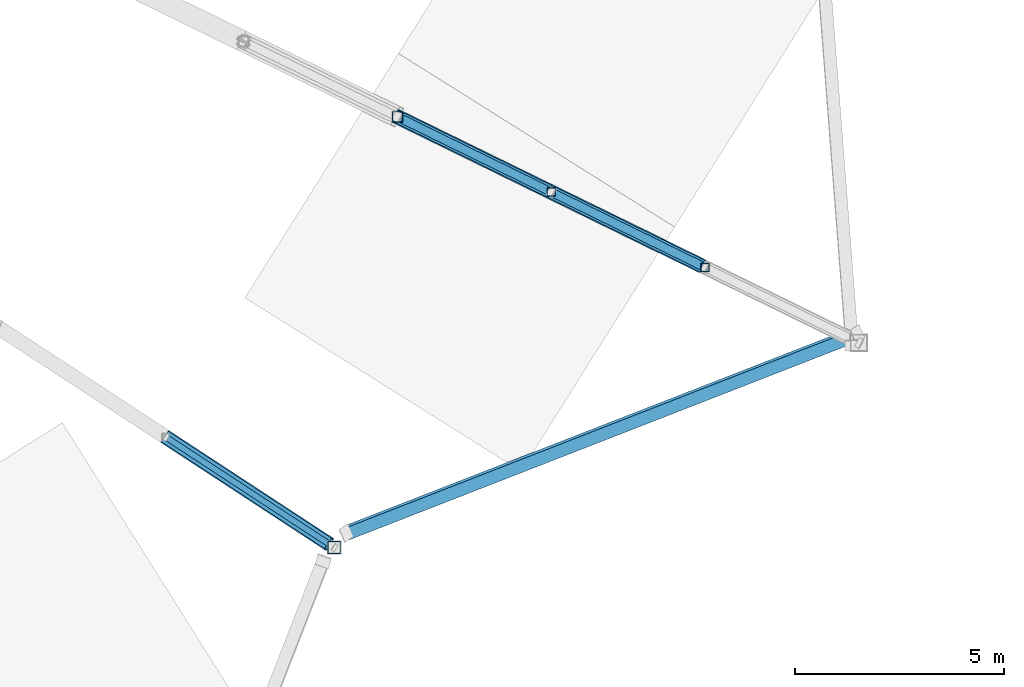
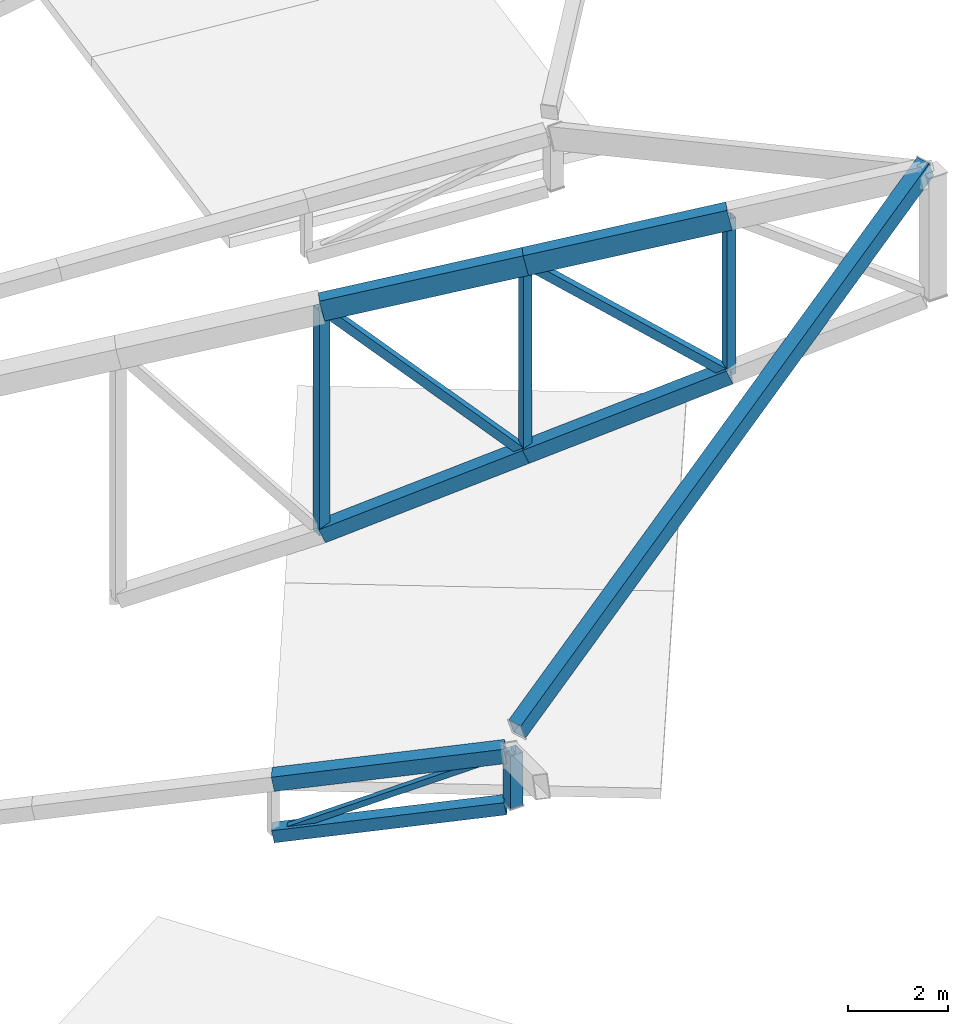
# One storey, part 46 of 188: 13 members, 1 beam.
"""IFC4 building model written with IfcOpenShell, lengths in metres."""

from ifc_helpers import new_model, si_unit, direction, frame, origin, origin_2d, place, context, subcontext, project, spatial, hollow_rectangle, extrude, material, material_profile, profile_set, type_object, element, save


model = new_model("IFC4")

# Units and contexts
model_context = context("Model", 3, precision=1e-05, world=origin(), true_north=direction((0.0, 1.0)))
body_context = subcontext(model_context, "Body", "Model", "MODEL_VIEW")
ifc_project = project(units=[si_unit("LENGTHUNIT", "METRE"), si_unit("AREAUNIT", "SQUARE_METRE"), si_unit("VOLUMEUNIT", "CUBIC_METRE"), si_unit("PLANEANGLEUNIT", "RADIAN"), si_unit("MASSUNIT", "GRAM", prefix="KILO")], contexts=[model_context])

# Site, building, storey
site_placement = place(None, origin())
site = spatial("IfcSite", under=ifc_project, at=site_placement, CompositionType="ELEMENT")
building_placement = place(site_placement, origin())
building = spatial("IfcBuilding", under=site, at=building_placement, Name="Meseta Stadium", CompositionType="ELEMENT")
storey_placement = place(building_placement, frame((0.0, 0.0, 30.0)))
storey = spatial("IfcBuildingStorey", under=building, at=storey_placement, Name="ROOF", CompositionType="ELEMENT", Elevation=30.0)

# Beam
ifc_material_1 = material(Name="Steel S355", Category="steel")
ifc_material_profile_1 = material_profile(ifc_material_1, hollow_rectangle(XDim=0.300048828125, YDim=0.5, WallThickness=0.01611328125, at=origin_2d()), Name="RHS 500x300x16")
ifc_profile_set_1 = profile_set([ifc_material_profile_1], Name="Steel S355")
beam_type = type_object("IfcBeamType", Name="RHS 500x300x16 rim ring beam", PredefinedType="BEAM", material=ifc_profile_set_1)
beam_placement = place(storey_placement, frame((80.65966796875, -84.02197265625, 3.80908203125), z_axis=(0.831613431393, 0.324275993686, 0.450848290056), x_axis=(-0.409810375587, 0.906208930732, 0.1041193062)))
element("IfcBeam", 1, at=beam_placement, inside=storey, type_object=beam_type, Name="RIM RING BEAM 54", PredefinedType="BEAM", context=body_context, shape_type="SweptSolid", body=[
    extrude(hollow_rectangle(XDim=0.300048828125, YDim=0.5, WallThickness=0.01611328125, at=origin_2d()), origin(), (0.0, 0.0, 1.0), 14.6728515625),
])

# Members
ifc_material_2 = material(Name="Steel S355", Category="steel")
ifc_material_profile_2 = material_profile(ifc_material_2, hollow_rectangle(XDim=0.300048828125, YDim=0.5, WallThickness=0.01611328125, at=origin_2d()), Name="RHS 500x300x16")
ifc_profile_set_2 = profile_set([ifc_material_profile_2], Name="Steel S355")
member_type_1 = type_object("IfcMemberType", Name="RHS 500x300x16 top chord", PredefinedType="CHORD", material=ifc_profile_set_2)
for number, where, z_axis, x_axis, name in (
    (2, (81.87548828125, -74.072509765625, 7.682373046875), (0.876466757561, -0.42915685102, 0.218243946336), (0.439757537934, 0.898116533547, 0.0), "ROOF TRUSS RT-54 top chord"),
    (3, (85.55322265625, -75.873291015625, 8.59814453125), (0.876488641902, -0.429109382237, 0.21824939563), (0.439709445712, 0.898140080028, 0.0), "ROOF TRUSS RT-54 top chord"),
):
    element("IfcMember", number, at=place(storey_placement, frame(where, z_axis=z_axis, x_axis=x_axis)), inside=storey, type_object=member_type_1, Name=name, PredefinedType="CHORD", context=body_context, shape_type="SweptSolid", body=[
        extrude(hollow_rectangle(XDim=0.300048828125, YDim=0.5, WallThickness=0.01611328125, at=origin_2d()), origin(), (0.0, 0.0, 1.0), 4.196044921875),
    ])
ifc_material_3 = material(Name="Steel S355", Category="steel")
ifc_material_profile_3 = material_profile(ifc_material_3, hollow_rectangle(XDim=0.139892578125, YDim=0.139892578125, WallThickness=0.0048828125, at=origin_2d()), Name="SHS 140x140x5")
ifc_profile_set_3 = profile_set([ifc_material_profile_3], Name="Steel S355")
member_type_2 = type_object("IfcMemberType", Name="SHS 140x140x5 diagonal", PredefinedType="BRACE", material=ifc_profile_set_3)
member_1_placement = place(storey_placement, frame((76.338623046875, -81.728271484375, 1.396484375), z_axis=(0.761142491034, -0.49847588142, 0.414950483775), x_axis=(0.547869617127, 0.836563734947, 0.0)))
element("IfcMember", 4, at=member_1_placement, inside=storey, type_object=member_type_2, Name="ROOF TRUSS RT-53 diagonal", PredefinedType="BRACE", context=body_context, shape_type="SweptSolid", body=[
    extrude(hollow_rectangle(XDim=0.139892578125, YDim=0.139892578125, WallThickness=0.0048828125, at=origin_2d()), origin(), (0.0, 0.0, 1.0), 5.29052734375),
])
ifc_material_4 = material(Name="Steel S355", Category="steel")
ifc_material_profile_4 = material_profile(ifc_material_4, hollow_rectangle(XDim=0.199951171875, YDim=0.199951171875, WallThickness=0.008056640625, at=origin_2d()), Name="SHS 200x200x8")
ifc_profile_set_4 = profile_set([ifc_material_profile_4], Name="Steel S355")
member_type_3 = type_object("IfcMemberType", Name="SHS 200x200x8 diagonal", PredefinedType="BRACE", material=ifc_profile_set_4)
member_2_placement = place(storey_placement, frame((81.87548828125, -74.072509765625, 7.682373046875), z_axis=(0.662564410929, -0.324420810874, -0.675099651046), x_axis=(0.439757537934, 0.898116533547, 0.0)))
element("IfcMember", 5, at=member_2_placement, inside=storey, type_object=member_type_3, Name="ROOF TRUSS RT-54 diagonal", PredefinedType="BRACE", context=body_context, shape_type="SweptSolid", body=[
    extrude(hollow_rectangle(XDim=0.199951171875, YDim=0.199951171875, WallThickness=0.008056640625, at=origin_2d()), origin(), (0.0, 0.0, 1.0), 5.55078125),
])
member_3_placement = place(storey_placement, frame((85.55322265625, -75.873291015625, 8.59814453125), z_axis=(0.7316156764, -0.358182794308, -0.580037574565), x_axis=(0.439709445712, 0.898140080028, 0.0)))
element("IfcMember", 6, at=member_3_placement, inside=storey, type_object=member_type_3, Name="ROOF TRUSS RT-54 diagonal", PredefinedType="BRACE", context=body_context, shape_type="SweptSolid", body=[
    extrude(hollow_rectangle(XDim=0.199951171875, YDim=0.199951171875, WallThickness=0.008056640625, at=origin_2d()), origin(), (0.0, 0.0, 1.0), 5.02685546875),
])
ifc_material_5 = material(Name="Steel S355", Category="steel")
ifc_material_profile_5 = material_profile(ifc_material_5, hollow_rectangle(XDim=0.199951171875, YDim=0.199951171875, WallThickness=0.008056640625, at=origin_2d()), Name="SHS 200x200x8")
ifc_profile_set_5 = profile_set([ifc_material_profile_5], Name="Steel S355")
member_type_4 = type_object("IfcMemberType", Name="SHS 200x200x8 post", PredefinedType="POST", material=ifc_profile_set_5)
member_4_placement = place(storey_placement, frame((85.55322265625, -75.873291015625, 3.93505859375), z_axis=(0.0, 0.0, 1.0), x_axis=(1.0, 0.0, 0.0)))
element("IfcMember", 7, at=member_4_placement, inside=storey, type_object=member_type_4, Name="ROOF TRUSS RT-54 post", PredefinedType="POST", context=body_context, shape_type="SweptSolid", body=[
    extrude(hollow_rectangle(XDim=0.199951171875, YDim=0.199951171875, WallThickness=0.008056640625, at=origin_2d()), origin(), (0.0, 0.0, 1.0), 4.6630859375),
])
member_5_placement = place(storey_placement, frame((89.23095703125, -77.673828125, 5.682373046875), z_axis=(0.0, 0.0, 1.0), x_axis=(1.0, 0.0, 0.0)))
element("IfcMember", 8, at=member_5_placement, inside=storey, type_object=member_type_4, Name="ROOF TRUSS RT-54 post", PredefinedType="POST", context=body_context, shape_type="SweptSolid", body=[
    extrude(hollow_rectangle(XDim=0.199951171875, YDim=0.199951171875, WallThickness=0.008056640625, at=origin_2d()), origin(), (0.0, 0.0, 1.0), 3.83154296875),
])
ifc_material_6 = material(Name="Steel S355", Category="steel")
ifc_material_profile_6 = material_profile(ifc_material_6, hollow_rectangle(XDim=0.25, YDim=0.25, WallThickness=0.010009765625, at=origin_2d()), Name="SHS 250x250x10")
ifc_profile_set_6 = profile_set([ifc_material_profile_6], Name="Steel S355")
member_type_5 = type_object("IfcMemberType", Name="SHS 250x250x10 post", PredefinedType="POST", material=ifc_profile_set_6)
member_6_placement = place(storey_placement, frame((81.87548828125, -74.072509765625, 2.187744140625), z_axis=(0.0, 0.0, 1.0), x_axis=(1.0, 0.0, 0.0)))
element("IfcMember", 9, at=member_6_placement, inside=storey, type_object=member_type_5, Name="ROOF TRUSS RT-54 post", PredefinedType="POST", context=body_context, shape_type="SweptSolid", body=[
    extrude(hollow_rectangle(XDim=0.25, YDim=0.25, WallThickness=0.010009765625, at=origin_2d()), origin(), (0.0, 0.0, 1.0), 5.49462890625),
])
ifc_material_7 = material(Name="Steel S355", Category="steel")
ifc_material_profile_7 = material_profile(ifc_material_7, hollow_rectangle(XDim=0.300048828125, YDim=0.300048828125, WallThickness=0.010009765625, at=origin_2d()), Name="SHS 300x300x10")
ifc_profile_set_7 = profile_set([ifc_material_profile_7], Name="Steel S355")
member_type_6 = type_object("IfcMemberType", Name="SHS 300x300x10 bottom chord", PredefinedType="CHORD", material=ifc_profile_set_7)
member_7_placement = place(storey_placement, frame((76.338623046875, -81.728271484375, 1.396484375), z_axis=(0.822447124175, -0.538644222995, 0.182874626372), x_axis=(0.54788359923, 0.836554577834, 0.0)))
element("IfcMember", 10, at=member_7_placement, inside=storey, type_object=member_type_6, Name="ROOF TRUSS RT-53 bottom chord", PredefinedType="CHORD", context=body_context, shape_type="SweptSolid", body=[
    extrude(hollow_rectangle(XDim=0.300048828125, YDim=0.300048828125, WallThickness=0.010009765625, at=origin_2d()), origin(), (0.0, 0.0, 1.0), 4.74609375),
])
ifc_material_8 = material(Name="Steel S355", Category="steel")
ifc_material_profile_8 = material_profile(ifc_material_8, hollow_rectangle(XDim=0.300048828125, YDim=0.300048828125, WallThickness=0.010009765625, at=origin_2d()), Name="SHS 300x300x10")
ifc_profile_set_8 = profile_set([ifc_material_profile_8], Name="Steel S355")
member_type_7 = type_object("IfcMemberType", Name="SHS 300x300x10 rim post", PredefinedType="POST", material=ifc_profile_set_8)
member_8_placement = place(storey_placement, frame((80.365478515625, -84.365478515625, 2.291748046875), z_axis=(0.0, 0.0, 1.0), x_axis=(1.0, 0.0, 0.0)))
element("IfcMember", 11, at=member_8_placement, inside=storey, type_object=member_type_7, Name="ROOF TRUSS RT-53 post", PredefinedType="POST", context=body_context, shape_type="SweptSolid", body=[
    extrude(hollow_rectangle(XDim=0.300048828125, YDim=0.300048828125, WallThickness=0.010009765625, at=origin_2d()), origin(), (0.0, 0.0, 1.0), 1.300048828125),
])
ifc_material_9 = material(Name="Steel S355", Category="steel")
ifc_material_profile_9 = material_profile(ifc_material_9, hollow_rectangle(XDim=0.35009765625, YDim=0.35009765625, WallThickness=0.010009765625, at=origin_2d()), Name="SHS 350x350x10")
ifc_profile_set_9 = profile_set([ifc_material_profile_9], Name="Steel S355")
member_type_8 = type_object("IfcMemberType", Name="SHS 350x350x10 bottom chord", PredefinedType="CHORD", material=ifc_profile_set_9)
for number, where, z_axis, x_axis, name in (
    (12, (81.87548828125, -74.072509765625, 2.187744140625), (0.826057818279, -0.404474407038, 0.392465202166), (0.439757537934, 0.898116533547, 0.0), "ROOF TRUSS RT-54 bottom chord"),
    (13, (85.55322265625, -75.873291015625, 3.93505859375), (0.826076139594, -0.404428540196, 0.392473906736), (0.439709445712, 0.898140080028, 0.0), "ROOF TRUSS RT-54 bottom chord"),
):
    element("IfcMember", number, at=place(storey_placement, frame(where, z_axis=z_axis, x_axis=x_axis)), inside=storey, type_object=member_type_8, Name=name, PredefinedType="CHORD", context=body_context, shape_type="SweptSolid", body=[
        extrude(hollow_rectangle(XDim=0.35009765625, YDim=0.35009765625, WallThickness=0.010009765625, at=origin_2d()), origin(), (0.0, 0.0, 1.0), 4.4521484375),
    ])
ifc_material_10 = material(Name="Steel S355", Category="steel")
ifc_material_profile_10 = material_profile(ifc_material_10, hollow_rectangle(XDim=0.35009765625, YDim=0.35009765625, WallThickness=0.010009765625, at=origin_2d()), Name="SHS 350x350x10")
ifc_profile_set_10 = profile_set([ifc_material_profile_10], Name="Steel S355")
member_type_9 = type_object("IfcMemberType", Name="SHS 350x350x10 top chord", PredefinedType="CHORD", material=ifc_profile_set_10)
member_9_placement = place(storey_placement, frame((76.338623046875, -81.728271484375, 2.696533203125), z_axis=(0.822454860244, -0.538649289568, 0.18282490451), x_axis=(0.54788359923, 0.836554577834, 0.0)))
element("IfcMember", 14, at=member_9_placement, inside=storey, type_object=member_type_9, Name="ROOF TRUSS RT-53 top chord", PredefinedType="CHORD", context=body_context, shape_type="SweptSolid", body=[
    extrude(hollow_rectangle(XDim=0.35009765625, YDim=0.35009765625, WallThickness=0.010009765625, at=origin_2d()), origin(), (0.0, 0.0, 1.0), 4.745849609375),
])

save(model, "model.ifc")
